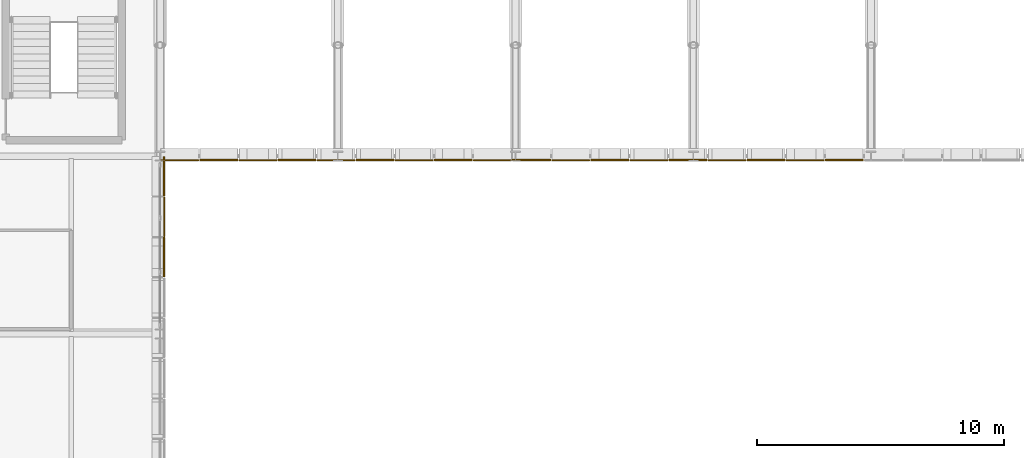
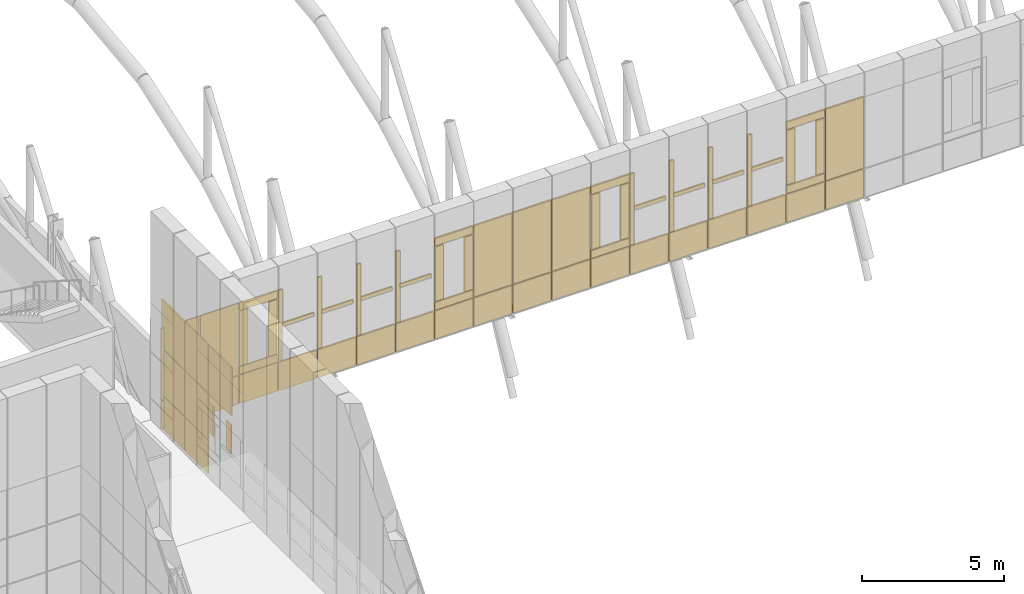
# One storey, part 132 of 144: 65 coverings.
"""IFC4 building model written with IfcOpenShell, lengths in metres."""

from ifc_helpers import new_model, si_unit, direction, frame, origin, origin_2d, place, context, subcontext, project, spatial, rectangle, extrude, material, layer, layer_set, type_object, element, save


model = new_model("IFC4")

# Units and contexts
model_context = context("Model", 3, precision=1e-05, world=origin(), true_north=direction((0.0, 1.0)))
body_context = subcontext(model_context, "Body", "Model", "MODEL_VIEW")
ifc_project = project(units=[si_unit("LENGTHUNIT", "METRE"), si_unit("AREAUNIT", "SQUARE_METRE"), si_unit("VOLUMEUNIT", "CUBIC_METRE"), si_unit("PLANEANGLEUNIT", "RADIAN"), si_unit("MASSUNIT", "GRAM", prefix="KILO")], contexts=[model_context])

# Site, building, storey
site_placement = place(None, origin())
site = spatial("IfcSite", under=ifc_project, at=site_placement, CompositionType="ELEMENT")
building_placement = place(site_placement, origin())
building = spatial("IfcBuilding", under=site, at=building_placement, Name="Yarey Park Central Fire Station", CompositionType="ELEMENT")
storey_placement = place(building_placement, frame((0.0, 0.0, 10.199951171875)))
storey = spatial("IfcBuildingStorey", under=building, at=storey_placement, Name="L03", CompositionType="ELEMENT", Elevation=10.199951171875)

# Coverings
ifc_material = material(Name="Perforated Powder-Coated Aluminium Cladding", Category="aluminium")
ifc_layer_1 = layer(ifc_material, 0.0419921875)
ifc_layer_set_1 = layer_set([ifc_layer_1], Name="Perforated Powder-Coated Aluminium Cladding")
covering_type_1 = type_object("IfcCoveringType", Name="ENV_COV_PERF_1", PredefinedType="CLADDING", material=ifc_layer_set_1)
covering_1_placement = place(storey_placement, frame((57.760009765625, 55.1455078125, -0.5048828125), z_axis=(0.0, 0.0, 1.0), x_axis=(0.0, 1.0, 0.0)))
element("IfcCovering", 1, at=covering_1_placement, inside=storey, type_object=covering_type_1, Name="PERF_L03_0456", PredefinedType="CLADDING", context=body_context, shape_type="SweptSolid", body=[
    extrude(rectangle(XDim=1.596435546875, YDim=0.0419921875, at=origin_2d()), origin(), (0.0, 0.0, 1.0), 1.43994140625),
])
covering_2_placement = place(storey_placement, frame((57.760009765625, 55.1455078125, 0.96484375), z_axis=(0.0, 0.0, 1.0), x_axis=(0.0, 1.0, 0.0)))
element("IfcCovering", 2, at=covering_2_placement, inside=storey, type_object=covering_type_1, Name="PERF_L03_0457", PredefinedType="CLADDING", context=body_context, shape_type="SweptSolid", body=[
    extrude(rectangle(XDim=1.596435546875, YDim=0.0419921875, at=origin_2d()), origin(), (0.0, 0.0, 1.0), 1.969970703125),
])
covering_3_placement = place(storey_placement, frame((57.760009765625, 55.1455078125, 2.96484375), z_axis=(0.0, 0.0, 1.0), x_axis=(0.0, 1.0, 0.0)))
element("IfcCovering", 3, at=covering_3_placement, inside=storey, type_object=covering_type_1, Name="PERF_L03_0458", PredefinedType="CLADDING", context=body_context, shape_type="SweptSolid", body=[
    extrude(rectangle(XDim=1.596435546875, YDim=0.0419921875, at=origin_2d()), origin(), (0.0, 0.0, 1.0), 2.070068359375),
])
covering_4_placement = place(storey_placement, frame((58.39208984375, 57.43994140625, -0.43505859375), z_axis=(0.0, 0.0, 1.0), x_axis=(1.0, 0.0, 0.0)))
element("IfcCovering", 4, at=covering_4_placement, inside=storey, type_object=covering_type_1, Name="PERF_L03_1362", PredefinedType="CLADDING", context=body_context, shape_type="SweptSolid", body=[
    extrude(rectangle(XDim=1.5439453125, YDim=0.0419921875, at=origin_2d()), origin(), (0.0, 0.0, 1.0), 1.219970703125),
])
covering_5_placement = place(storey_placement, frame((58.39208984375, 57.43994140625, 0.81494140625), z_axis=(0.0, 0.0, 1.0), x_axis=(1.0, 0.0, 0.0)))
element("IfcCovering", 5, at=covering_5_placement, inside=storey, type_object=covering_type_1, Name="PERF_L03_1363", PredefinedType="CLADDING", context=body_context, shape_type="SweptSolid", body=[
    extrude(rectangle(XDim=1.5439453125, YDim=0.0419921875, at=origin_2d()), origin(), (0.0, 0.0, 1.0), 3.070068359375),
])
covering_6_placement = place(storey_placement, frame((61.56005859375, 57.43994140625, -0.43505859375), z_axis=(0.0, 0.0, 1.0), x_axis=(1.0, 0.0, 0.0)))
element("IfcCovering", 6, at=covering_6_placement, inside=storey, type_object=covering_type_1, Name="PERF_L03_1368", PredefinedType="CLADDING", context=body_context, shape_type="SweptSolid", body=[
    extrude(rectangle(XDim=1.5439453125, YDim=0.0419921875, at=origin_2d()), origin(), (0.0, 0.0, 1.0), 1.219970703125),
])
for number, where, z_axis, x_axis, name in (
    (7, (61.56005859375, 57.43994140625, 0.81005859375), (0.0, 0.0, 1.0), (1.0, 0.0, 0.0), "PERF_L03_1369"),
    (8, (61.56005859375, 57.43994140625, 3.5498046875), (0.0, 0.0, 1.0), (1.0, 0.0, 0.0), "PERF_L03_1370"),
):
    element("IfcCovering", number, at=place(storey_placement, frame(where, z_axis=z_axis, x_axis=x_axis)), inside=storey, type_object=covering_type_1, Name=name, PredefinedType="CLADDING", context=body_context, shape_type="SweptSolid", body=[
        extrude(rectangle(XDim=1.5439453125, YDim=0.0419921875, at=origin_2d()), origin(), (0.0, 0.0, 1.0), 0.340087890625),
    ])
for number, where, z_axis, x_axis, name in (
    (9, (60.968017578125, 57.43994140625, 1.175048828125), (0.0, 0.0, 1.0), (1.0, 0.0, 0.0), "PERF_L03_1371"),
    (10, (62.152099609375, 57.43994140625, 1.175048828125), (0.0, 0.0, 1.0), (1.0, 0.0, 0.0), "PERF_L03_1372"),
):
    element("IfcCovering", number, at=place(storey_placement, frame(where, z_axis=z_axis, x_axis=x_axis)), inside=storey, type_object=covering_type_1, Name=name, PredefinedType="CLADDING", context=body_context, shape_type="SweptSolid", body=[
        extrude(rectangle(XDim=0.340087890625, YDim=0.0419921875, at=origin_2d()), origin(), (0.0, 0.0, 1.0), 2.35009765625),
    ])
covering_7_placement = place(storey_placement, frame((64.72802734375, 57.43994140625, -0.43505859375), z_axis=(0.0, 0.0, 1.0), x_axis=(1.0, 0.0, 0.0)))
element("IfcCovering", 11, at=covering_7_placement, inside=storey, type_object=covering_type_1, Name="PERF_L03_1378", PredefinedType="CLADDING", context=body_context, shape_type="SweptSolid", body=[
    extrude(rectangle(XDim=1.5439453125, YDim=0.0419921875, at=origin_2d()), origin(), (0.0, 0.0, 1.0), 1.219970703125),
])
covering_8_placement = place(storey_placement, frame((64.0458984375, 57.43994140625, 0.81494140625), z_axis=(0.0, 0.0, 1.0), x_axis=(1.0, 0.0, 0.0)))
element("IfcCovering", 12, at=covering_8_placement, inside=storey, type_object=covering_type_1, Name="PERF_L03_1379", PredefinedType="CLADDING", context=body_context, shape_type="SweptSolid", body=[
    extrude(rectangle(XDim=0.159912109375, YDim=0.0419921875, at=origin_2d()), origin(), (0.0, 0.0, 1.0), 3.070068359375),
])
covering_9_placement = place(storey_placement, frame((64.72802734375, 57.43994140625, 2.27001953125), z_axis=(0.0, 0.0, 1.0), x_axis=(1.0, 0.0, 0.0)))
element("IfcCovering", 13, at=covering_9_placement, inside=storey, type_object=covering_type_1, Name="PERF_L03_1380", PredefinedType="CLADDING", context=body_context, shape_type="SweptSolid", body=[
    extrude(rectangle(XDim=1.343994140625, YDim=0.0419921875, at=origin_2d()), origin(), (0.0, 0.0, 1.0), 0.159912109375),
])
covering_10_placement = place(storey_placement, frame((67.89599609375, 57.43994140625, -0.43505859375), z_axis=(0.0, 0.0, 1.0), x_axis=(1.0, 0.0, 0.0)))
element("IfcCovering", 14, at=covering_10_placement, inside=storey, type_object=covering_type_1, Name="PERF_L03_1386", PredefinedType="CLADDING", context=body_context, shape_type="SweptSolid", body=[
    extrude(rectangle(XDim=1.5439453125, YDim=0.0419921875, at=origin_2d()), origin(), (0.0, 0.0, 1.0), 1.219970703125),
])
covering_11_placement = place(storey_placement, frame((67.214111328125, 57.43994140625, 0.81494140625), z_axis=(0.0, 0.0, 1.0), x_axis=(1.0, 0.0, 0.0)))
element("IfcCovering", 15, at=covering_11_placement, inside=storey, type_object=covering_type_1, Name="PERF_L03_1387", PredefinedType="CLADDING", context=body_context, shape_type="SweptSolid", body=[
    extrude(rectangle(XDim=0.159912109375, YDim=0.0419921875, at=origin_2d()), origin(), (0.0, 0.0, 1.0), 3.070068359375),
])
covering_12_placement = place(storey_placement, frame((67.89599609375, 57.43994140625, 2.27001953125), z_axis=(0.0, 0.0, 1.0), x_axis=(1.0, 0.0, 0.0)))
element("IfcCovering", 16, at=covering_12_placement, inside=storey, type_object=covering_type_1, Name="PERF_L03_1388", PredefinedType="CLADDING", context=body_context, shape_type="SweptSolid", body=[
    extrude(rectangle(XDim=1.343994140625, YDim=0.0419921875, at=origin_2d()), origin(), (0.0, 0.0, 1.0), 0.159912109375),
])
covering_13_placement = place(storey_placement, frame((71.06396484375, 57.43994140625, -0.43505859375), z_axis=(0.0, 0.0, 1.0), x_axis=(1.0, 0.0, 0.0)))
element("IfcCovering", 17, at=covering_13_placement, inside=storey, type_object=covering_type_1, Name="PERF_L03_1396", PredefinedType="CLADDING", context=body_context, shape_type="SweptSolid", body=[
    extrude(rectangle(XDim=1.5439453125, YDim=0.0419921875, at=origin_2d()), origin(), (0.0, 0.0, 1.0), 1.219970703125),
])
covering_14_placement = place(storey_placement, frame((71.06396484375, 57.43994140625, 0.81494140625), z_axis=(0.0, 0.0, 1.0), x_axis=(1.0, 0.0, 0.0)))
element("IfcCovering", 18, at=covering_14_placement, inside=storey, type_object=covering_type_1, Name="PERF_L03_1397", PredefinedType="CLADDING", context=body_context, shape_type="SweptSolid", body=[
    extrude(rectangle(XDim=1.5439453125, YDim=0.0419921875, at=origin_2d()), origin(), (0.0, 0.0, 1.0), 3.070068359375),
])
covering_15_placement = place(storey_placement, frame((74.23193359375, 57.43994140625, -0.43505859375), z_axis=(0.0, 0.0, 1.0), x_axis=(1.0, 0.0, 0.0)))
element("IfcCovering", 19, at=covering_15_placement, inside=storey, type_object=covering_type_1, Name="PERF_L03_1402", PredefinedType="CLADDING", context=body_context, shape_type="SweptSolid", body=[
    extrude(rectangle(XDim=1.5439453125, YDim=0.0419921875, at=origin_2d()), origin(), (0.0, 0.0, 1.0), 1.219970703125),
])
covering_16_placement = place(storey_placement, frame((74.23193359375, 57.43994140625, 0.81494140625), z_axis=(0.0, 0.0, 1.0), x_axis=(1.0, 0.0, 0.0)))
element("IfcCovering", 20, at=covering_16_placement, inside=storey, type_object=covering_type_1, Name="PERF_L03_1403", PredefinedType="CLADDING", context=body_context, shape_type="SweptSolid", body=[
    extrude(rectangle(XDim=1.5439453125, YDim=0.0419921875, at=origin_2d()), origin(), (0.0, 0.0, 1.0), 3.070068359375),
])
covering_17_placement = place(storey_placement, frame((77.39990234375, 57.43994140625, -0.43505859375), z_axis=(0.0, 0.0, 1.0), x_axis=(1.0, 0.0, 0.0)))
element("IfcCovering", 21, at=covering_17_placement, inside=storey, type_object=covering_type_1, Name="PERF_L03_1411", PredefinedType="CLADDING", context=body_context, shape_type="SweptSolid", body=[
    extrude(rectangle(XDim=1.5439453125, YDim=0.0419921875, at=origin_2d()), origin(), (0.0, 0.0, 1.0), 1.219970703125),
])
covering_18_placement = place(storey_placement, frame((76.718017578125, 57.43994140625, 0.81494140625), z_axis=(0.0, 0.0, 1.0), x_axis=(1.0, 0.0, 0.0)))
element("IfcCovering", 22, at=covering_18_placement, inside=storey, type_object=covering_type_1, Name="PERF_L03_1412", PredefinedType="CLADDING", context=body_context, shape_type="SweptSolid", body=[
    extrude(rectangle(XDim=0.159912109375, YDim=0.0419921875, at=origin_2d()), origin(), (0.0, 0.0, 1.0), 3.070068359375),
])
covering_19_placement = place(storey_placement, frame((77.39990234375, 57.43994140625, 2.27001953125), z_axis=(0.0, 0.0, 1.0), x_axis=(1.0, 0.0, 0.0)))
element("IfcCovering", 23, at=covering_19_placement, inside=storey, type_object=covering_type_1, Name="PERF_L03_1413", PredefinedType="CLADDING", context=body_context, shape_type="SweptSolid", body=[
    extrude(rectangle(XDim=1.343994140625, YDim=0.0419921875, at=origin_2d()), origin(), (0.0, 0.0, 1.0), 0.159912109375),
])
covering_20_placement = place(storey_placement, frame((80.568115234375, 57.43994140625, -0.43505859375), z_axis=(0.0, 0.0, 1.0), x_axis=(1.0, 0.0, 0.0)))
element("IfcCovering", 24, at=covering_20_placement, inside=storey, type_object=covering_type_1, Name="PERF_L03_1419", PredefinedType="CLADDING", context=body_context, shape_type="SweptSolid", body=[
    extrude(rectangle(XDim=1.5439453125, YDim=0.0419921875, at=origin_2d()), origin(), (0.0, 0.0, 1.0), 1.219970703125),
])
covering_21_placement = place(storey_placement, frame((79.885986328125, 57.43994140625, 0.81494140625), z_axis=(0.0, 0.0, 1.0), x_axis=(1.0, 0.0, 0.0)))
element("IfcCovering", 25, at=covering_21_placement, inside=storey, type_object=covering_type_1, Name="PERF_L03_1420", PredefinedType="CLADDING", context=body_context, shape_type="SweptSolid", body=[
    extrude(rectangle(XDim=0.159912109375, YDim=0.0419921875, at=origin_2d()), origin(), (0.0, 0.0, 1.0), 3.070068359375),
])
covering_22_placement = place(storey_placement, frame((80.568115234375, 57.43994140625, 2.27001953125), z_axis=(0.0, 0.0, 1.0), x_axis=(1.0, 0.0, 0.0)))
element("IfcCovering", 26, at=covering_22_placement, inside=storey, type_object=covering_type_1, Name="PERF_L03_1421", PredefinedType="CLADDING", context=body_context, shape_type="SweptSolid", body=[
    extrude(rectangle(XDim=1.343994140625, YDim=0.0419921875, at=origin_2d()), origin(), (0.0, 0.0, 1.0), 0.159912109375),
])
covering_23_placement = place(storey_placement, frame((83.736083984375, 57.43994140625, -0.43505859375), z_axis=(0.0, 0.0, 1.0), x_axis=(1.0, 0.0, 0.0)))
element("IfcCovering", 27, at=covering_23_placement, inside=storey, type_object=covering_type_1, Name="PERF_L03_1427", PredefinedType="CLADDING", context=body_context, shape_type="SweptSolid", body=[
    extrude(rectangle(XDim=1.5439453125, YDim=0.0419921875, at=origin_2d()), origin(), (0.0, 0.0, 1.0), 1.219970703125),
])
for number, where, z_axis, x_axis, name in (
    (28, (83.736083984375, 57.43994140625, 0.81005859375), (0.0, 0.0, 1.0), (1.0, 0.0, 0.0), "PERF_L03_1428"),
    (29, (83.736083984375, 57.43994140625, 3.5498046875), (0.0, 0.0, 1.0), (1.0, 0.0, 0.0), "PERF_L03_1429"),
):
    element("IfcCovering", number, at=place(storey_placement, frame(where, z_axis=z_axis, x_axis=x_axis)), inside=storey, type_object=covering_type_1, Name=name, PredefinedType="CLADDING", context=body_context, shape_type="SweptSolid", body=[
        extrude(rectangle(XDim=1.5439453125, YDim=0.0419921875, at=origin_2d()), origin(), (0.0, 0.0, 1.0), 0.340087890625),
    ])
for number, where, z_axis, x_axis, name in (
    (30, (83.14404296875, 57.43994140625, 1.175048828125), (0.0, 0.0, 1.0), (1.0, 0.0, 0.0), "PERF_L03_1430"),
    (31, (84.327880859375, 57.43994140625, 1.175048828125), (0.0, 0.0, 1.0), (1.0, 0.0, 0.0), "PERF_L03_1431"),
):
    element("IfcCovering", number, at=place(storey_placement, frame(where, z_axis=z_axis, x_axis=x_axis)), inside=storey, type_object=covering_type_1, Name=name, PredefinedType="CLADDING", context=body_context, shape_type="SweptSolid", body=[
        extrude(rectangle(XDim=0.340087890625, YDim=0.0419921875, at=origin_2d()), origin(), (0.0, 0.0, 1.0), 2.35009765625),
    ])
ifc_layer_2 = layer(ifc_material, 0.053955078125)
ifc_layer_set_2 = layer_set([ifc_layer_2], Name="Perforated Powder-Coated Aluminium Cladding")
covering_type_2 = type_object("IfcCoveringType", Name="ENV_COV_PERF_2", PredefinedType="CLADDING", material=ifc_layer_set_2)
for number, where, z_axis, x_axis, name in (
    (32, (57.760009765625, 52.890869140625, 1.324951171875), (0.0, 0.0, 1.0), (0.0, 1.0, 0.0), "PERF_L03_0448"),
    (33, (57.760009765625, 54.127197265625, 1.324951171875), (0.0, 0.0, 1.0), (0.0, 1.0, 0.0), "PERF_L03_0449"),
):
    element("IfcCovering", number, at=place(storey_placement, frame(where, z_axis=z_axis, x_axis=x_axis)), inside=storey, type_object=covering_type_2, Name=name, PredefinedType="CLADDING", context=body_context, shape_type="SweptSolid", body=[
        extrude(rectangle(XDim=0.340087890625, YDim=0.053955078125, at=origin_2d()), origin(), (0.0, 0.0, 1.0), 1.25),
    ])
covering_24_placement = place(storey_placement, frame((57.760009765625, 53.509033203125, 2.96484375), z_axis=(0.0, 0.0, 1.0), x_axis=(0.0, 1.0, 0.0)))
element("IfcCovering", 34, at=covering_24_placement, inside=storey, type_object=covering_type_2, Name="PERF_L03_0450", PredefinedType="CLADDING", context=body_context, shape_type="SweptSolid", body=[
    extrude(rectangle(XDim=1.596435546875, YDim=0.053955078125, at=origin_2d()), origin(), (0.0, 0.0, 1.0), 2.070068359375),
])
covering_25_placement = place(storey_placement, frame((57.760009765625, 56.78173828125, -0.5048828125), z_axis=(0.0, 0.0, 1.0), x_axis=(0.0, 1.0, 0.0)))
element("IfcCovering", 35, at=covering_25_placement, inside=storey, type_object=covering_type_2, Name="PERF_L03_0461", PredefinedType="CLADDING", context=body_context, shape_type="SweptSolid", body=[
    extrude(rectangle(XDim=1.596435546875, YDim=0.053955078125, at=origin_2d()), origin(), (0.0, 0.0, 1.0), 1.43994140625),
])
covering_26_placement = place(storey_placement, frame((57.760009765625, 56.78173828125, 0.96484375), z_axis=(0.0, 0.0, 1.0), x_axis=(0.0, 1.0, 0.0)))
element("IfcCovering", 36, at=covering_26_placement, inside=storey, type_object=covering_type_2, Name="PERF_L03_0462", PredefinedType="CLADDING", context=body_context, shape_type="SweptSolid", body=[
    extrude(rectangle(XDim=1.596435546875, YDim=0.053955078125, at=origin_2d()), origin(), (0.0, 0.0, 1.0), 1.969970703125),
])
covering_27_placement = place(storey_placement, frame((57.760009765625, 56.78173828125, 2.96484375), z_axis=(0.0, 0.0, 1.0), x_axis=(0.0, 1.0, 0.0)))
element("IfcCovering", 37, at=covering_27_placement, inside=storey, type_object=covering_type_2, Name="PERF_L03_0463", PredefinedType="CLADDING", context=body_context, shape_type="SweptSolid", body=[
    extrude(rectangle(XDim=1.596435546875, YDim=0.053955078125, at=origin_2d()), origin(), (0.0, 0.0, 1.0), 2.070068359375),
])
covering_28_placement = place(storey_placement, frame((59.97607421875, 57.43994140625, -0.43505859375), z_axis=(0.0, 0.0, 1.0), x_axis=(1.0, 0.0, 0.0)))
element("IfcCovering", 38, at=covering_28_placement, inside=storey, type_object=covering_type_2, Name="PERF_L03_1365", PredefinedType="CLADDING", context=body_context, shape_type="SweptSolid", body=[
    extrude(rectangle(XDim=1.5439453125, YDim=0.053955078125, at=origin_2d()), origin(), (0.0, 0.0, 1.0), 1.219970703125),
])
covering_29_placement = place(storey_placement, frame((59.97607421875, 57.43994140625, 0.81494140625), z_axis=(0.0, 0.0, 1.0), x_axis=(1.0, 0.0, 0.0)))
element("IfcCovering", 39, at=covering_29_placement, inside=storey, type_object=covering_type_2, Name="PERF_L03_1366", PredefinedType="CLADDING", context=body_context, shape_type="SweptSolid", body=[
    extrude(rectangle(XDim=1.5439453125, YDim=0.053955078125, at=origin_2d()), origin(), (0.0, 0.0, 1.0), 3.070068359375),
])
covering_30_placement = place(storey_placement, frame((63.14404296875, 57.43994140625, -0.43505859375), z_axis=(0.0, 0.0, 1.0), x_axis=(1.0, 0.0, 0.0)))
element("IfcCovering", 40, at=covering_30_placement, inside=storey, type_object=covering_type_2, Name="PERF_L03_1374", PredefinedType="CLADDING", context=body_context, shape_type="SweptSolid", body=[
    extrude(rectangle(XDim=1.5439453125, YDim=0.053955078125, at=origin_2d()), origin(), (0.0, 0.0, 1.0), 1.219970703125),
])
covering_31_placement = place(storey_placement, frame((62.4619140625, 57.43994140625, 0.81494140625), z_axis=(0.0, 0.0, 1.0), x_axis=(1.0, 0.0, 0.0)))
element("IfcCovering", 41, at=covering_31_placement, inside=storey, type_object=covering_type_2, Name="PERF_L03_1375", PredefinedType="CLADDING", context=body_context, shape_type="SweptSolid", body=[
    extrude(rectangle(XDim=0.159912109375, YDim=0.053955078125, at=origin_2d()), origin(), (0.0, 0.0, 1.0), 3.070068359375),
])
covering_32_placement = place(storey_placement, frame((63.14404296875, 57.43994140625, 2.27001953125), z_axis=(0.0, 0.0, 1.0), x_axis=(1.0, 0.0, 0.0)))
element("IfcCovering", 42, at=covering_32_placement, inside=storey, type_object=covering_type_2, Name="PERF_L03_1376", PredefinedType="CLADDING", context=body_context, shape_type="SweptSolid", body=[
    extrude(rectangle(XDim=1.343994140625, YDim=0.053955078125, at=origin_2d()), origin(), (0.0, 0.0, 1.0), 0.159912109375),
])
covering_33_placement = place(storey_placement, frame((66.31201171875, 57.43994140625, -0.43505859375), z_axis=(0.0, 0.0, 1.0), x_axis=(1.0, 0.0, 0.0)))
element("IfcCovering", 43, at=covering_33_placement, inside=storey, type_object=covering_type_2, Name="PERF_L03_1382", PredefinedType="CLADDING", context=body_context, shape_type="SweptSolid", body=[
    extrude(rectangle(XDim=1.5439453125, YDim=0.053955078125, at=origin_2d()), origin(), (0.0, 0.0, 1.0), 1.219970703125),
])
covering_34_placement = place(storey_placement, frame((65.6298828125, 57.43994140625, 0.81494140625), z_axis=(0.0, 0.0, 1.0), x_axis=(1.0, 0.0, 0.0)))
element("IfcCovering", 44, at=covering_34_placement, inside=storey, type_object=covering_type_2, Name="PERF_L03_1383", PredefinedType="CLADDING", context=body_context, shape_type="SweptSolid", body=[
    extrude(rectangle(XDim=0.159912109375, YDim=0.053955078125, at=origin_2d()), origin(), (0.0, 0.0, 1.0), 3.070068359375),
])
covering_35_placement = place(storey_placement, frame((66.31201171875, 57.43994140625, 2.27001953125), z_axis=(0.0, 0.0, 1.0), x_axis=(1.0, 0.0, 0.0)))
element("IfcCovering", 45, at=covering_35_placement, inside=storey, type_object=covering_type_2, Name="PERF_L03_1384", PredefinedType="CLADDING", context=body_context, shape_type="SweptSolid", body=[
    extrude(rectangle(XDim=1.343994140625, YDim=0.053955078125, at=origin_2d()), origin(), (0.0, 0.0, 1.0), 0.159912109375),
])
covering_36_placement = place(storey_placement, frame((69.47998046875, 57.43994140625, -0.43505859375), z_axis=(0.0, 0.0, 1.0), x_axis=(1.0, 0.0, 0.0)))
element("IfcCovering", 46, at=covering_36_placement, inside=storey, type_object=covering_type_2, Name="PERF_L03_1390", PredefinedType="CLADDING", context=body_context, shape_type="SweptSolid", body=[
    extrude(rectangle(XDim=1.5439453125, YDim=0.053955078125, at=origin_2d()), origin(), (0.0, 0.0, 1.0), 1.219970703125),
])
for number, where, z_axis, x_axis, name in (
    (47, (69.47998046875, 57.43994140625, 0.81005859375), (0.0, 0.0, 1.0), (1.0, 0.0, 0.0), "PERF_L03_1391"),
    (48, (69.47998046875, 57.43994140625, 3.5498046875), (0.0, 0.0, 1.0), (1.0, 0.0, 0.0), "PERF_L03_1392"),
):
    element("IfcCovering", number, at=place(storey_placement, frame(where, z_axis=z_axis, x_axis=x_axis)), inside=storey, type_object=covering_type_2, Name=name, PredefinedType="CLADDING", context=body_context, shape_type="SweptSolid", body=[
        extrude(rectangle(XDim=1.5439453125, YDim=0.053955078125, at=origin_2d()), origin(), (0.0, 0.0, 1.0), 0.340087890625),
    ])
for number, where, z_axis, x_axis, name in (
    (49, (68.887939453125, 57.43994140625, 1.175048828125), (0.0, 0.0, 1.0), (1.0, 0.0, 0.0), "PERF_L03_1393"),
    (50, (70.072021484375, 57.43994140625, 1.175048828125), (0.0, 0.0, 1.0), (1.0, 0.0, 0.0), "PERF_L03_1394"),
):
    element("IfcCovering", number, at=place(storey_placement, frame(where, z_axis=z_axis, x_axis=x_axis)), inside=storey, type_object=covering_type_2, Name=name, PredefinedType="CLADDING", context=body_context, shape_type="SweptSolid", body=[
        extrude(rectangle(XDim=0.340087890625, YDim=0.053955078125, at=origin_2d()), origin(), (0.0, 0.0, 1.0), 2.35009765625),
    ])
covering_37_placement = place(storey_placement, frame((72.64794921875, 57.43994140625, -0.43505859375), z_axis=(0.0, 0.0, 1.0), x_axis=(1.0, 0.0, 0.0)))
element("IfcCovering", 51, at=covering_37_placement, inside=storey, type_object=covering_type_2, Name="PERF_L03_1399", PredefinedType="CLADDING", context=body_context, shape_type="SweptSolid", body=[
    extrude(rectangle(XDim=1.5439453125, YDim=0.053955078125, at=origin_2d()), origin(), (0.0, 0.0, 1.0), 1.219970703125),
])
covering_38_placement = place(storey_placement, frame((72.64794921875, 57.43994140625, 0.81494140625), z_axis=(0.0, 0.0, 1.0), x_axis=(1.0, 0.0, 0.0)))
element("IfcCovering", 52, at=covering_38_placement, inside=storey, type_object=covering_type_2, Name="PERF_L03_1400", PredefinedType="CLADDING", context=body_context, shape_type="SweptSolid", body=[
    extrude(rectangle(XDim=1.5439453125, YDim=0.053955078125, at=origin_2d()), origin(), (0.0, 0.0, 1.0), 3.070068359375),
])
covering_39_placement = place(storey_placement, frame((75.81591796875, 57.43994140625, -0.43505859375), z_axis=(0.0, 0.0, 1.0), x_axis=(1.0, 0.0, 0.0)))
element("IfcCovering", 53, at=covering_39_placement, inside=storey, type_object=covering_type_2, Name="PERF_L03_1405", PredefinedType="CLADDING", context=body_context, shape_type="SweptSolid", body=[
    extrude(rectangle(XDim=1.5439453125, YDim=0.053955078125, at=origin_2d()), origin(), (0.0, 0.0, 1.0), 1.219970703125),
])
for number, where, z_axis, x_axis, name in (
    (54, (75.81591796875, 57.43994140625, 0.81005859375), (0.0, 0.0, 1.0), (1.0, 0.0, 0.0), "PERF_L03_1406"),
    (55, (75.81591796875, 57.43994140625, 3.5498046875), (0.0, 0.0, 1.0), (1.0, 0.0, 0.0), "PERF_L03_1407"),
):
    element("IfcCovering", number, at=place(storey_placement, frame(where, z_axis=z_axis, x_axis=x_axis)), inside=storey, type_object=covering_type_2, Name=name, PredefinedType="CLADDING", context=body_context, shape_type="SweptSolid", body=[
        extrude(rectangle(XDim=1.5439453125, YDim=0.053955078125, at=origin_2d()), origin(), (0.0, 0.0, 1.0), 0.340087890625),
    ])
for number, where, z_axis, x_axis, name in (
    (56, (75.22412109375, 57.43994140625, 1.175048828125), (0.0, 0.0, 1.0), (1.0, 0.0, 0.0), "PERF_L03_1408"),
    (57, (76.407958984375, 57.43994140625, 1.175048828125), (0.0, 0.0, 1.0), (1.0, 0.0, 0.0), "PERF_L03_1409"),
):
    element("IfcCovering", number, at=place(storey_placement, frame(where, z_axis=z_axis, x_axis=x_axis)), inside=storey, type_object=covering_type_2, Name=name, PredefinedType="CLADDING", context=body_context, shape_type="SweptSolid", body=[
        extrude(rectangle(XDim=0.340087890625, YDim=0.053955078125, at=origin_2d()), origin(), (0.0, 0.0, 1.0), 2.35009765625),
    ])
covering_40_placement = place(storey_placement, frame((78.98388671875, 57.43994140625, -0.43505859375), z_axis=(0.0, 0.0, 1.0), x_axis=(1.0, 0.0, 0.0)))
element("IfcCovering", 58, at=covering_40_placement, inside=storey, type_object=covering_type_2, Name="PERF_L03_1415", PredefinedType="CLADDING", context=body_context, shape_type="SweptSolid", body=[
    extrude(rectangle(XDim=1.5439453125, YDim=0.053955078125, at=origin_2d()), origin(), (0.0, 0.0, 1.0), 1.219970703125),
])
covering_41_placement = place(storey_placement, frame((78.302001953125, 57.43994140625, 0.81494140625), z_axis=(0.0, 0.0, 1.0), x_axis=(1.0, 0.0, 0.0)))
element("IfcCovering", 59, at=covering_41_placement, inside=storey, type_object=covering_type_2, Name="PERF_L03_1416", PredefinedType="CLADDING", context=body_context, shape_type="SweptSolid", body=[
    extrude(rectangle(XDim=0.159912109375, YDim=0.053955078125, at=origin_2d()), origin(), (0.0, 0.0, 1.0), 3.070068359375),
])
covering_42_placement = place(storey_placement, frame((78.98388671875, 57.43994140625, 2.27001953125), z_axis=(0.0, 0.0, 1.0), x_axis=(1.0, 0.0, 0.0)))
element("IfcCovering", 60, at=covering_42_placement, inside=storey, type_object=covering_type_2, Name="PERF_L03_1417", PredefinedType="CLADDING", context=body_context, shape_type="SweptSolid", body=[
    extrude(rectangle(XDim=1.343994140625, YDim=0.053955078125, at=origin_2d()), origin(), (0.0, 0.0, 1.0), 0.159912109375),
])
covering_43_placement = place(storey_placement, frame((82.152099609375, 57.43994140625, -0.43505859375), z_axis=(0.0, 0.0, 1.0), x_axis=(1.0, 0.0, 0.0)))
element("IfcCovering", 61, at=covering_43_placement, inside=storey, type_object=covering_type_2, Name="PERF_L03_1423", PredefinedType="CLADDING", context=body_context, shape_type="SweptSolid", body=[
    extrude(rectangle(XDim=1.5439453125, YDim=0.053955078125, at=origin_2d()), origin(), (0.0, 0.0, 1.0), 1.219970703125),
])
covering_44_placement = place(storey_placement, frame((81.469970703125, 57.43994140625, 0.81494140625), z_axis=(0.0, 0.0, 1.0), x_axis=(1.0, 0.0, 0.0)))
element("IfcCovering", 62, at=covering_44_placement, inside=storey, type_object=covering_type_2, Name="PERF_L03_1424", PredefinedType="CLADDING", context=body_context, shape_type="SweptSolid", body=[
    extrude(rectangle(XDim=0.159912109375, YDim=0.053955078125, at=origin_2d()), origin(), (0.0, 0.0, 1.0), 3.070068359375),
])
covering_45_placement = place(storey_placement, frame((82.152099609375, 57.43994140625, 2.27001953125), z_axis=(0.0, 0.0, 1.0), x_axis=(1.0, 0.0, 0.0)))
element("IfcCovering", 63, at=covering_45_placement, inside=storey, type_object=covering_type_2, Name="PERF_L03_1425", PredefinedType="CLADDING", context=body_context, shape_type="SweptSolid", body=[
    extrude(rectangle(XDim=1.343994140625, YDim=0.053955078125, at=origin_2d()), origin(), (0.0, 0.0, 1.0), 0.159912109375),
])
covering_46_placement = place(storey_placement, frame((85.320068359375, 57.43994140625, -0.43505859375), z_axis=(0.0, 0.0, 1.0), x_axis=(1.0, 0.0, 0.0)))
element("IfcCovering", 64, at=covering_46_placement, inside=storey, type_object=covering_type_2, Name="PERF_L03_1433", PredefinedType="CLADDING", context=body_context, shape_type="SweptSolid", body=[
    extrude(rectangle(XDim=1.5439453125, YDim=0.053955078125, at=origin_2d()), origin(), (0.0, 0.0, 1.0), 1.219970703125),
])
covering_47_placement = place(storey_placement, frame((85.320068359375, 57.43994140625, 0.81494140625), z_axis=(0.0, 0.0, 1.0), x_axis=(1.0, 0.0, 0.0)))
element("IfcCovering", 65, at=covering_47_placement, inside=storey, type_object=covering_type_2, Name="PERF_L03_1434", PredefinedType="CLADDING", context=body_context, shape_type="SweptSolid", body=[
    extrude(rectangle(XDim=1.5439453125, YDim=0.053955078125, at=origin_2d()), origin(), (0.0, 0.0, 1.0), 3.070068359375),
])

save(model, "model.ifc")
